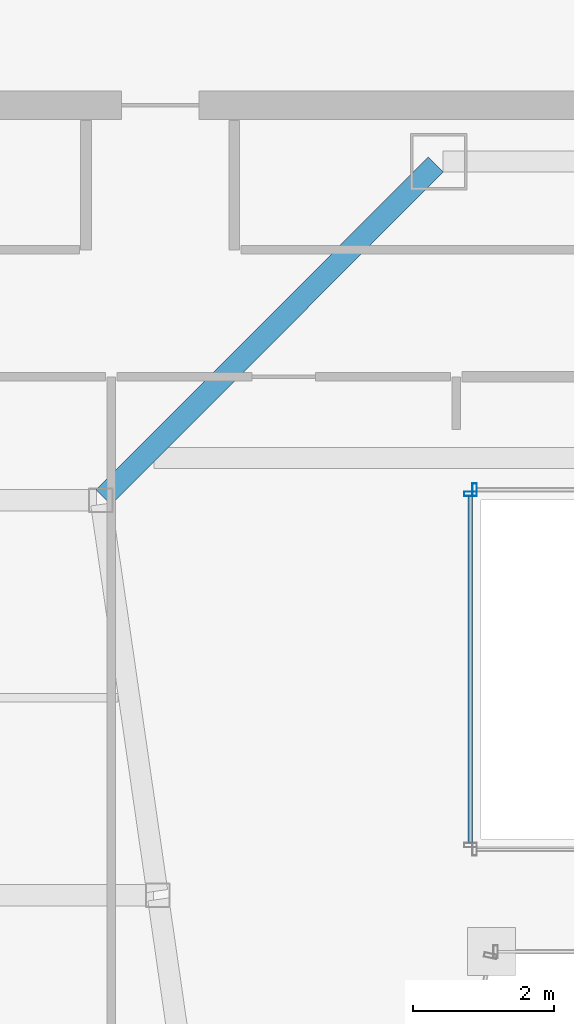
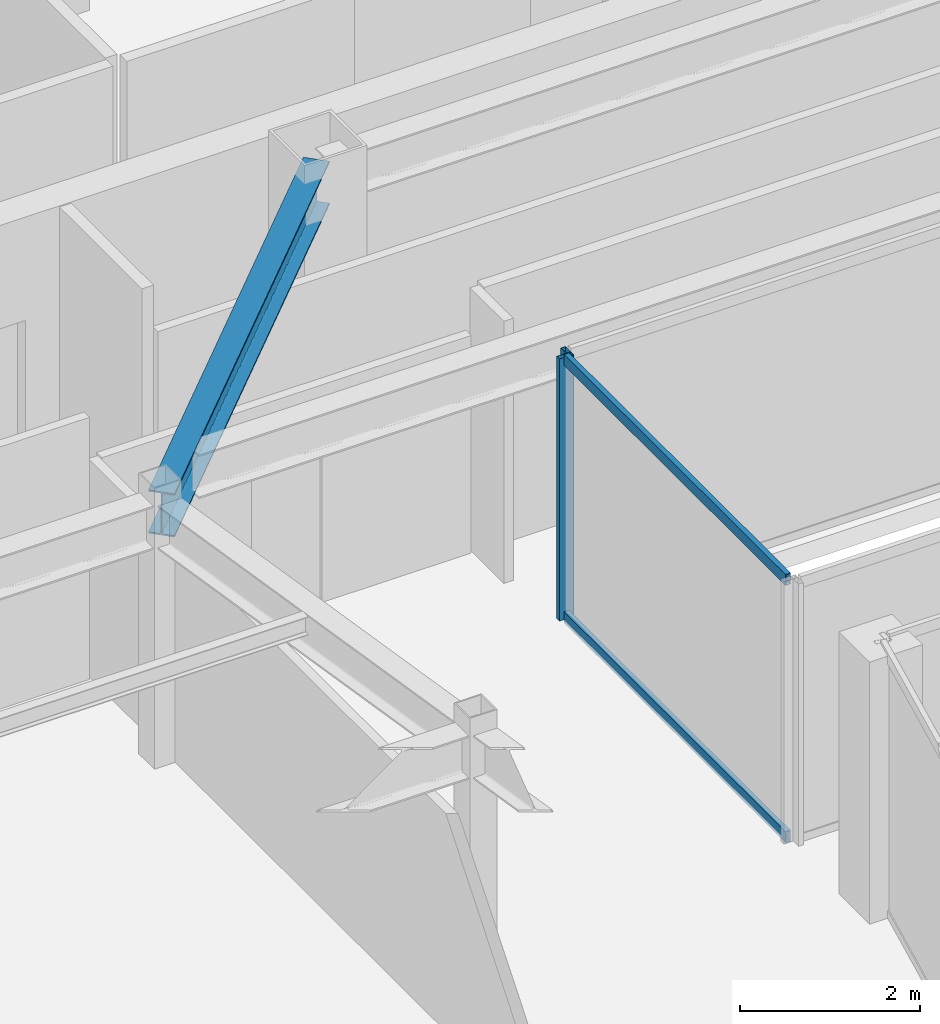
# One storey, part 9 of 32: 4 members, 1 beam, 2 elements without a shape of their own.
"""IFC4 building model written with IfcOpenShell, lengths in metres."""

from ifc_helpers import new_model, si_unit, direction, frame, origin, origin_2d, place, context, subcontext, project, spatial, hollow_rectangle, i_section, extrude, material, material_profile, profile_set, type_object, element, aggregate, save


model = new_model("IFC4")

# Units and contexts
model_context = context("Model", 3, precision=1e-05, world=origin(), true_north=direction((0.0, 1.0)))
body_context = subcontext(model_context, "Body", "Model", "MODEL_VIEW")
ifc_project = project(units=[si_unit("LENGTHUNIT", "METRE"), si_unit("AREAUNIT", "SQUARE_METRE"), si_unit("VOLUMEUNIT", "CUBIC_METRE"), si_unit("PLANEANGLEUNIT", "RADIAN"), si_unit("MASSUNIT", "GRAM", prefix="KILO")], contexts=[model_context])

# Site, building, storey
site_placement = place(None, origin())
site = spatial("IfcSite", under=ifc_project, at=site_placement, CompositionType="ELEMENT")
building_placement = place(site_placement, origin())
building = spatial("IfcBuilding", under=site, at=building_placement, Name="Saevonmaru Cultural Tower", CompositionType="ELEMENT")
storey_placement = place(building_placement, frame((0.0, 0.0, 245.800048828125)))
storey = spatial("IfcBuildingStorey", under=building, at=storey_placement, Name="L57", CompositionType="ELEMENT", Elevation=245.800048828125)

# Beam
ifc_material_1 = material(Name="Steel SM355", Category="steel")
ifc_material_profile_1 = material_profile(ifc_material_1, i_section(OverallWidth=0.300048828125, OverallDepth=0.587890625, WebThickness=0.011962890625, FlangeThickness=0.02001953125, FilletRadius=0.02392578125, at=origin_2d()), Name="H-588x300x12x20")
ifc_profile_set_1 = profile_set([ifc_material_profile_1], Name="Steel SM355")
beam_type = type_object("IfcBeamType", Name="BM-G-H588", PredefinedType="BEAM", material=ifc_profile_set_1)
beam_placement = place(storey_placement, frame((18.850341796875, 37.642578125, 3.255859375), z_axis=(0.706538566564, 0.707674539572, 0.0), x_axis=(-0.707674539572, 0.706538566564, 0.0)))
element("IfcBeam", 1, at=beam_placement, inside=storey, type_object=beam_type, Name="L57 West Atrium Girder 4", PredefinedType="BEAM", context=body_context, shape_type="SweptSolid", body=[
    extrude(i_section(OverallWidth=0.300048828125, OverallDepth=0.587890625, WebThickness=0.011962890625, FlangeThickness=0.02001953125, FilletRadius=0.02392578125, at=origin_2d()), origin(), (0.0, 0.0, 1.0), 6.662353515625),
])

# Curtain wall, member
ifc_material_2 = material(Name="Satin Bronze Anodised Aluminium", Category="aluminium")
curtain_wall_type = type_object("IfcCurtainWallType", Name="CW-ATR-GLZ", PredefinedType="NOTDEFINED", material=ifc_material_2)
curtain_wall_1_placement = place(storey_placement, origin())
curtain_wall_1 = element("IfcCurtainWall", 2, at=curtain_wall_1_placement, inside=storey, type_object=curtain_wall_type, Name="L57 Vertical Atrium Glazed Smoke Screen 3", PredefinedType="NOTDEFINED")
ifc_material_profile_2 = material_profile(ifc_material_2, hollow_rectangle(XDim=0.06494140625, YDim=0.179931640625, WallThickness=0.00390625, at=origin_2d()), Name="ALU-MULL-180x65x4")
ifc_profile_set_2 = profile_set([ifc_material_profile_2], Name="Satin Bronze Anodised Aluminium")
member_type_1 = type_object("IfcMemberType", Name="ML-CW-INT-180x65", PredefinedType="MULLION", material=ifc_profile_set_2)
member_1_placement = place(storey_placement, frame((24.110107421875, 37.75, 0.0), z_axis=(0.0, 0.0, 1.0), x_axis=(-1.0, 0.0, 0.0)))
member_1 = element("IfcMember", 3, at=member_1_placement, type_object=member_type_1, Name="CW-ATR-L57-3 mullion 2", PredefinedType="MULLION", context=body_context, shape_type="SweptSolid", body=[
    extrude(hollow_rectangle(XDim=0.06494140625, YDim=0.179931640625, WallThickness=0.00390625, at=origin_2d()), origin(), (0.0, 0.0, 1.0), 3.550048828125),
])
aggregate(curtain_wall_1, [member_1])

# Curtain wall, members
curtain_wall_2_placement = place(storey_placement, origin())
curtain_wall_2 = element("IfcCurtainWall", 4, at=curtain_wall_2_placement, inside=storey, type_object=curtain_wall_type, Name="L57 Vertical Atrium Glazed Smoke Screen 4", PredefinedType="NOTDEFINED")
member_2_placement = place(storey_placement, frame((24.050048828125, 37.68994140625, 0.0), z_axis=(0.0, 0.0, 1.0), x_axis=(0.0, -1.0, 0.0)))
member_2 = element("IfcMember", 5, at=member_2_placement, type_object=member_type_1, Name="CW-ATR-L57-4 mullion 1", PredefinedType="MULLION", context=body_context, shape_type="SweptSolid", body=[
    extrude(hollow_rectangle(XDim=0.06494140625, YDim=0.179931640625, WallThickness=0.00390625, at=origin_2d()), origin(), (0.0, 0.0, 1.0), 3.550048828125),
])
ifc_material_profile_3 = material_profile(ifc_material_2, hollow_rectangle(XDim=0.06494140625, YDim=0.14990234375, WallThickness=0.00390625, at=origin_2d()), Name="ALU-TRAN-150x65x4")
ifc_profile_set_3 = profile_set([ifc_material_profile_3], Name="Satin Bronze Anodised Aluminium")
member_type_2 = type_object("IfcMemberType", Name="TR-CW-INT-150x65", PredefinedType="USERDEFINED", material=ifc_profile_set_3)
member_3_placement = place(storey_placement, frame((24.050048828125, 37.657470703125, 0.032470703125), z_axis=(0.0, -1.0, 0.0), x_axis=(1.0, 0.0, 0.0)))
member_3 = element("IfcMember", 6, at=member_3_placement, type_object=member_type_2, Name="CW-ATR-L57-4 transom 1.1", ObjectType="TRANSOM", PredefinedType="USERDEFINED", context=body_context, shape_type="SweptSolid", body=[
    extrude(hollow_rectangle(XDim=0.06494140625, YDim=0.14990234375, WallThickness=0.00390625, at=origin_2d()), origin(), (0.0, 0.0, 1.0), 4.9150390625),
])
member_4_placement = place(storey_placement, frame((24.050048828125, 37.657470703125, 3.517333984375), z_axis=(0.0, -1.0, 0.0), x_axis=(1.0, 0.0, 0.0)))
member_4 = element("IfcMember", 7, at=member_4_placement, type_object=member_type_2, Name="CW-ATR-L57-4 transom 1.2", ObjectType="TRANSOM", PredefinedType="USERDEFINED", context=body_context, shape_type="SweptSolid", body=[
    extrude(hollow_rectangle(XDim=0.06494140625, YDim=0.14990234375, WallThickness=0.00390625, at=origin_2d()), origin(), (0.0, 0.0, 1.0), 4.9150390625),
])
aggregate(curtain_wall_2, [member_2, member_3, member_4])

save(model, "model.ifc")
